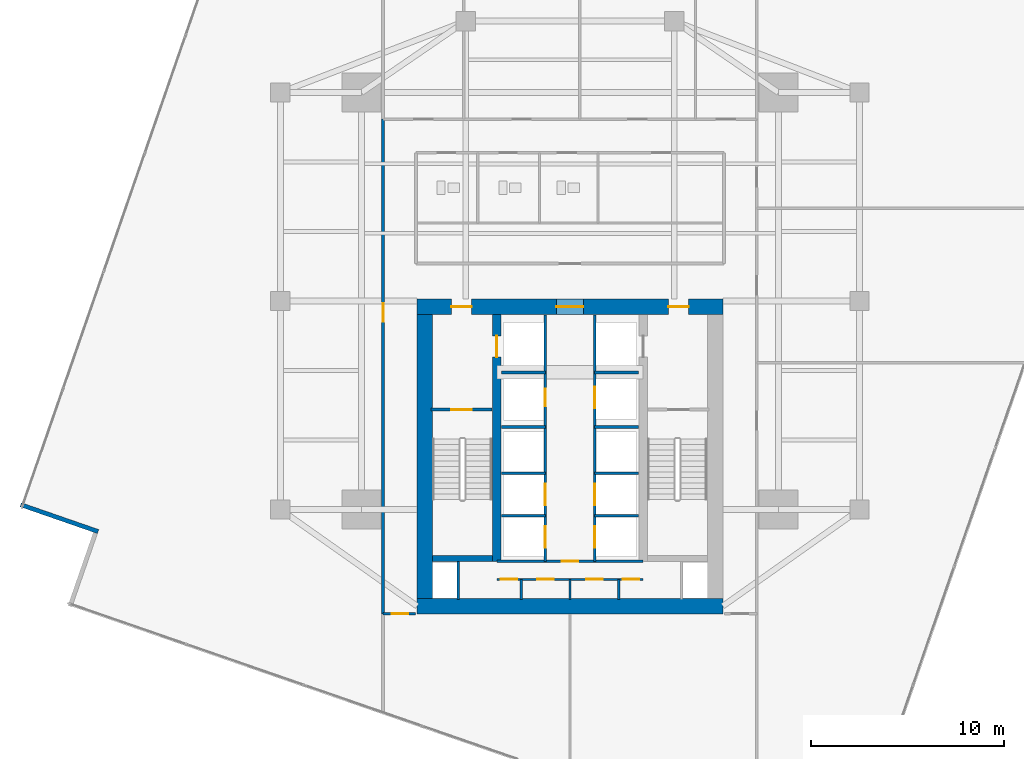
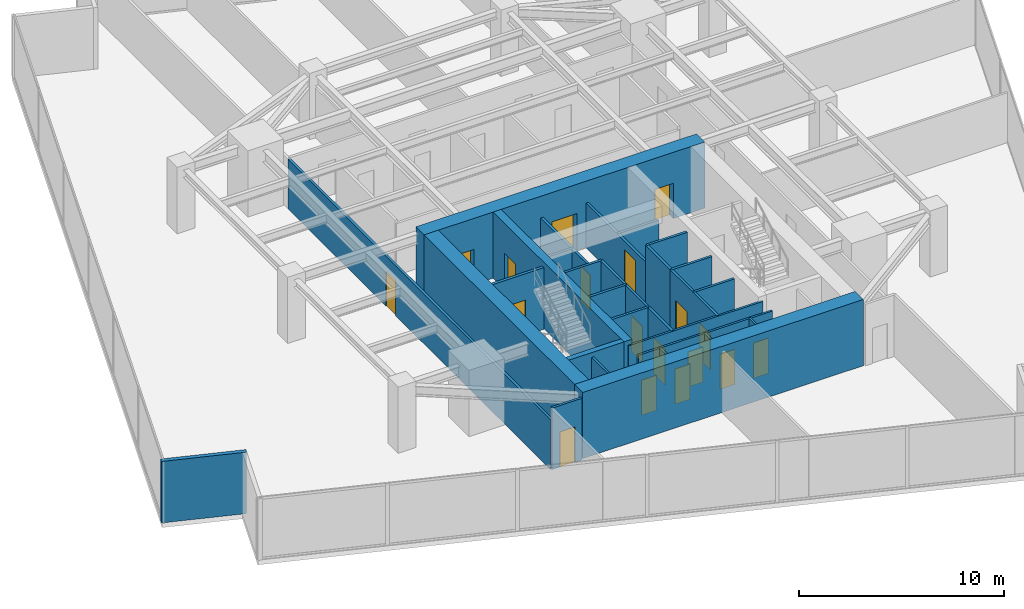
# One storey, part 23 of 27: 29 walls, 18 doors, 18 openings.
"""IFC4 building model written with IfcOpenShell, lengths in metres."""

from ifc_helpers import new_model, si_unit, direction, frame, frame_2d, origin, place, context, subcontext, project, spatial, rectangle, extrude, material, layer, layer_set, type_object, element, fill, save


model = new_model("IFC4")

# Units and contexts
model_context = context("Model", 3, precision=1e-05, world=origin(), true_north=direction((0.0, 1.0)))
body_context = subcontext(model_context, "Body", "Model", "MODEL_VIEW")
ifc_project = project(units=[si_unit("LENGTHUNIT", "METRE"), si_unit("AREAUNIT", "SQUARE_METRE"), si_unit("VOLUMEUNIT", "CUBIC_METRE"), si_unit("PLANEANGLEUNIT", "RADIAN"), si_unit("MASSUNIT", "GRAM", prefix="KILO")], contexts=[model_context])

# Site, building, storey
site_placement = place(None, origin())
site = spatial("IfcSite", under=ifc_project, at=site_placement, CompositionType="ELEMENT")
building_placement = place(site_placement, origin())
building = spatial("IfcBuilding", under=site, at=building_placement, Name="Krantzveldt Concourse Tower", CompositionType="ELEMENT")
storey_placement = place(building_placement, frame((0.0, 0.0, 121.64990234375)))
storey = spatial("IfcBuildingStorey", under=building, at=storey_placement, Name="L29", CompositionType="ELEMENT", Elevation=121.64990234375)

# Wall
ifc_material_1 = material(Name="Anodised aluminium 6063-T6", Category="aluminium")
ifc_layer_1 = layer(ifc_material_1, 0.219970703125, Name="Anodised aluminium 6063-T6", Category="aluminium")
ifc_layer_set_1 = layer_set([ifc_layer_1], Name="Anodised aluminium 6063-T6 (WL-EXT-NOTCH220)")
wall_type_1 = type_object("IfcWallType", Name="WL-EXT-NOTCH220", PredefinedType="ELEMENTEDWALL", material=ifc_layer_set_1)
wall_1_placement = place(storey_placement, frame((7.5478515625, 16.1494140625, 0.0), z_axis=(0.0, 0.0, 1.0), x_axis=(0.944801308279, -0.327643843028, 0.0)))
element("IfcWall", 1, at=wall_1_placement, inside=storey, type_object=wall_type_1, Name="EW-L29-NCH02", PredefinedType="ELEMENTEDWALL", context=body_context, shape_type="SweptSolid", body=[
    extrude(rectangle(XDim=4.2451171875, YDim=0.219970703125, at=frame_2d((2.12255859375, 0.0))), origin(), (0.0, 0.0, 1.0), 3.670166015625),
])

# Wall, opening, door
ifc_material_2 = material(Name="Fire-rated gypsum plasterboard on steel stud", Category="steel")
ifc_layer_2 = layer(ifc_material_2, 0.1201171875, Name="Fire-rated gypsum plasterboard on steel stud", Category="steel")
ifc_layer_set_2 = layer_set([ifc_layer_2], Name="Fire-rated gypsum plasterboard on steel stud (WL-PART-120)")
wall_type_2 = type_object("IfcWallType", Name="WL-PART-120", PredefinedType="PARTITIONING", material=ifc_layer_set_2)
wall_2_placement = place(storey_placement, frame((32.2099609375, 13.219970703125, 0.0), z_axis=(0.0, 0.0, 1.0), x_axis=(1.0, 0.0, 0.0)))
wall_2 = element("IfcWall", 2, at=wall_2_placement, inside=storey, type_object=wall_type_2, Name="WP-L29-CS2H", PredefinedType="PARTITIONING", context=body_context, shape_type="SweptSolid", body=[
    extrude(rectangle(XDim=7.580078125, YDim=0.1201171875, at=frame_2d((3.7900390625, 0.0))), origin(), (0.0, 0.0, 1.0), 3.670166015625),
])
opening_1_placement = place(wall_2_placement, frame((3.364990234375, 0.0, 0.0)))
opening_1 = element("IfcOpeningElement", 3, at=opening_1_placement, cuts=wall_2, Name="Opening D-IN085", PredefinedType="OPENING", context=body_context, shape_type="SweptSolid", body=[
    extrude(rectangle(XDim=0.85009765625, YDim=2.10009765625, at=frame_2d((0.425048828125, 1.050048828125))), frame((0.0, 0.070068359375, 0.0), z_axis=(0.0, -1.0, 0.0), x_axis=(1.0, 0.0, 0.0)), (0.0, 0.0, 1.0), 0.14013671875),
])
ifc_material_3 = material(Name="Hardwood timber", Category="wood")
door_type_1 = type_object("IfcDoorType", Name="DR-INT-850", OperationType="SINGLE_SWING_LEFT", PredefinedType="DOOR", material=ifc_material_3)
door_1_placement = place(opening_1_placement, origin())
door_1 = element("IfcDoor", 4, at=door_1_placement, inside=storey, type_object=door_type_1, Name="DR-L29-LLBS", OperationType="SINGLE_SWING_RIGHT", OverallHeight=2.10009765625, OverallWidth=0.85009765625, PredefinedType="DOOR", context=body_context, shape_type="SweptSolid", body=[
    extrude(rectangle(XDim=0.85009765625, YDim=2.10009765625, at=frame_2d((0.425048828125, 1.050048828125))), frame((0.0, 0.02490234375, 0.0), z_axis=(0.0, -1.0, 0.0), x_axis=(1.0, 0.0, 0.0)), (0.0, 0.0, 1.0), 0.050048828125),
])
fill(opening_1, door_1)

# Wall, openings, doors
wall_3_placement = place(storey_placement, frame((32.2099609375, 12.280029296875, 0.0), z_axis=(0.0, 0.0, 1.0), x_axis=(1.0, 0.0, 0.0)))
wall_3 = element("IfcWall", 5, at=wall_3_placement, inside=storey, type_object=wall_type_2, Name="WP-L29-CSD-HM", PredefinedType="PARTITIONING", context=body_context, shape_type="SweptSolid", body=[
    extrude(rectangle(XDim=7.580078125, YDim=0.1201171875, at=frame_2d((3.7900390625, 0.0))), origin(), (0.0, 0.0, 1.0), 3.670166015625),
])
opening_2_placement = place(wall_3_placement, frame((0.205078125, 0.0, 0.0)))
opening_2 = element("IfcOpeningElement", 6, at=opening_2_placement, cuts=wall_3, Name="Opening D-IN085", PredefinedType="OPENING", context=body_context, shape_type="SweptSolid", body=[
    extrude(rectangle(XDim=0.85009765625, YDim=2.10009765625, at=frame_2d((0.425048828125, 1.050048828125))), frame((0.0, 0.070068359375, 0.0), z_axis=(0.0, -1.0, 0.0), x_axis=(1.0, 0.0, 0.0)), (0.0, 0.0, 1.0), 0.14013671875),
])
opening_3_placement = place(wall_3_placement, frame((2.094970703125, 0.0, 0.0)))
opening_3 = element("IfcOpeningElement", 7, at=opening_3_placement, cuts=wall_3, Name="Opening D-IN085", PredefinedType="OPENING", context=body_context, shape_type="SweptSolid", body=[
    extrude(rectangle(XDim=0.85009765625, YDim=2.10009765625, at=frame_2d((0.425048828125, 1.050048828125))), frame((0.0, 0.070068359375, 0.0), z_axis=(0.0, -1.0, 0.0), x_axis=(1.0, 0.0, 0.0)), (0.0, 0.0, 1.0), 0.14013671875),
])
opening_4_placement = place(wall_3_placement, frame((4.635009765625, 0.0, 0.0)))
opening_4 = element("IfcOpeningElement", 8, at=opening_4_placement, cuts=wall_3, Name="Opening D-IN085", PredefinedType="OPENING", context=body_context, shape_type="SweptSolid", body=[
    extrude(rectangle(XDim=0.85009765625, YDim=2.10009765625, at=frame_2d((0.425048828125, 1.050048828125))), frame((0.0, 0.070068359375, 0.0), z_axis=(0.0, -1.0, 0.0), x_axis=(1.0, 0.0, 0.0)), (0.0, 0.0, 1.0), 0.14013671875),
])
opening_5_placement = place(wall_3_placement, frame((6.52490234375, 0.0, 0.0)))
opening_5 = element("IfcOpeningElement", 9, at=opening_5_placement, cuts=wall_3, Name="Opening D-IN085", PredefinedType="OPENING", context=body_context, shape_type="SweptSolid", body=[
    extrude(rectangle(XDim=0.85009765625, YDim=2.10009765625, at=frame_2d((0.425048828125, 1.050048828125))), frame((0.0, 0.070068359375, 0.0), z_axis=(0.0, -1.0, 0.0), x_axis=(1.0, 0.0, 0.0)), (0.0, 0.0, 1.0), 0.14013671875),
])
door_2_placement = place(opening_2_placement, origin())
door_2 = element("IfcDoor", 10, at=door_2_placement, inside=storey, type_object=door_type_1, Name="DR-L29-CSD1", OperationType="SINGLE_SWING_RIGHT", OverallHeight=2.10009765625, OverallWidth=0.85009765625, PredefinedType="DOOR", context=body_context, shape_type="SweptSolid", body=[
    extrude(rectangle(XDim=0.85009765625, YDim=2.10009765625, at=frame_2d((0.425048828125, 1.050048828125))), frame((0.0, 0.02490234375, 0.0), z_axis=(0.0, -1.0, 0.0), x_axis=(1.0, 0.0, 0.0)), (0.0, 0.0, 1.0), 0.050048828125),
])
fill(opening_2, door_2)
door_3_placement = place(opening_3_placement, origin())
door_3 = element("IfcDoor", 11, at=door_3_placement, inside=storey, type_object=door_type_1, Name="DR-L29-CSD2", OperationType="SINGLE_SWING_RIGHT", OverallHeight=2.10009765625, OverallWidth=0.85009765625, PredefinedType="DOOR", context=body_context, shape_type="SweptSolid", body=[
    extrude(rectangle(XDim=0.85009765625, YDim=2.10009765625, at=frame_2d((0.425048828125, 1.050048828125))), frame((0.0, 0.02490234375, 0.0), z_axis=(0.0, -1.0, 0.0), x_axis=(1.0, 0.0, 0.0)), (0.0, 0.0, 1.0), 0.050048828125),
])
fill(opening_3, door_3)
door_4_placement = place(opening_4_placement, origin())
door_4 = element("IfcDoor", 12, at=door_4_placement, inside=storey, type_object=door_type_1, Name="DR-L29-CSD3", OperationType="SINGLE_SWING_RIGHT", OverallHeight=2.10009765625, OverallWidth=0.85009765625, PredefinedType="DOOR", context=body_context, shape_type="SweptSolid", body=[
    extrude(rectangle(XDim=0.85009765625, YDim=2.10009765625, at=frame_2d((0.425048828125, 1.050048828125))), frame((0.0, 0.02490234375, 0.0), z_axis=(0.0, -1.0, 0.0), x_axis=(1.0, 0.0, 0.0)), (0.0, 0.0, 1.0), 0.050048828125),
])
fill(opening_4, door_4)
door_5_placement = place(opening_5_placement, origin())
door_5 = element("IfcDoor", 13, at=door_5_placement, inside=storey, type_object=door_type_1, Name="DR-L29-CSD4", OperationType="SINGLE_SWING_RIGHT", OverallHeight=2.10009765625, OverallWidth=0.85009765625, PredefinedType="DOOR", context=body_context, shape_type="SweptSolid", body=[
    extrude(rectangle(XDim=0.85009765625, YDim=2.10009765625, at=frame_2d((0.425048828125, 1.050048828125))), frame((0.0, 0.02490234375, 0.0), z_axis=(0.0, -1.0, 0.0), x_axis=(1.0, 0.0, 0.0)), (0.0, 0.0, 1.0), 0.050048828125),
])
fill(opening_5, door_5)

# Walls
for number, where, z_axis, x_axis, name in (
    (14, (33.469970703125, 11.25, 0.0), (0.0, 0.0, 1.0), (0.0, 1.0, 0.0), "WP-L29-CSD-V1"),
    (15, (36.0, 11.25, 0.0), (0.0, 0.0, 1.0), (0.0, 1.0, 0.0), "WP-L29-CSD-V2"),
    (16, (38.530029296875, 11.25, 0.0), (0.0, 0.0, 1.0), (0.0, 1.0, 0.0), "WP-L29-CSD-V3"),
):
    element("IfcWall", number, at=place(storey_placement, frame(where, z_axis=z_axis, x_axis=x_axis)), inside=storey, type_object=wall_type_2, Name=name, PredefinedType="PARTITIONING", context=body_context, shape_type="SweptSolid", body=[
        extrude(rectangle(XDim=1.030029296875, YDim=0.1201171875, at=frame_2d((0.51513671875, 0.0))), origin(), (0.0, 0.0, 1.0), 3.670166015625),
    ])

# Wall, opening, door
ifc_layer_3 = layer(ifc_material_2, 0.139892578125, Name="Fire-rated gypsum plasterboard on steel stud", Category="steel")
ifc_layer_set_3 = layer_set([ifc_layer_3], Name="Fire-rated gypsum plasterboard on steel stud (WL-PART-140)")
wall_type_3 = type_object("IfcWallType", Name="WL-PART-140", PredefinedType="PARTITIONING", material=ifc_layer_set_3)
wall_4_placement = place(storey_placement, frame((26.320068359375, 10.5, 0.0), z_axis=(0.0, 0.0, 1.0), x_axis=(0.0, 1.0, 0.0)))
wall_4 = element("IfcWall", 17, at=wall_4_placement, inside=storey, type_object=wall_type_3, Name="WP-L29-CWEST", PredefinedType="PARTITIONING", context=body_context, shape_type="SweptSolid", body=[
    extrude(rectangle(XDim=25.6201171875, YDim=0.139892578125, at=frame_2d((12.81005859375, 0.0))), origin(), (0.0, 0.0, 1.0), 2.97021484375),
])
opening_6_placement = place(wall_4_placement, frame((15.125, 0.0, 0.0)))
opening_6 = element("IfcOpeningElement", 18, at=opening_6_placement, cuts=wall_4, Name="Opening D-IN095", PredefinedType="OPENING", context=body_context, shape_type="SweptSolid", body=[
    extrude(rectangle(XDim=0.949951171875, YDim=2.10009765625, at=frame_2d((0.47509765625, 1.050048828125))), frame((0.0, 0.080078125, 0.0), z_axis=(0.0, -1.0, 0.0), x_axis=(1.0, 0.0, 0.0)), (0.0, 0.0, 1.0), 0.159912109375),
])
door_type_2 = type_object("IfcDoorType", Name="DR-INT-950", OperationType="SINGLE_SWING_LEFT", PredefinedType="DOOR", material=ifc_material_3)
door_6_placement = place(opening_6_placement, origin())
door_6 = element("IfcDoor", 19, at=door_6_placement, inside=storey, type_object=door_type_2, Name="DR-L29-WR1", OperationType="SINGLE_SWING_LEFT", OverallHeight=2.10009765625, OverallWidth=0.949951171875, PredefinedType="DOOR", context=body_context, shape_type="SweptSolid", body=[
    extrude(rectangle(XDim=0.949951171875, YDim=2.10009765625, at=frame_2d((0.47509765625, 1.050048828125))), frame((0.0, 0.02490234375, 0.0), z_axis=(0.0, -1.0, 0.0), x_axis=(1.0, 0.0, 0.0)), (0.0, 0.0, 1.0), 0.050048828125),
])
fill(opening_6, door_6)

wall_5_placement = place(storey_placement, frame((26.320068359375, 10.5, 0.0), z_axis=(0.0, 0.0, 1.0), x_axis=(1.0, 0.0, 0.0)))
wall_5 = element("IfcWall", 20, at=wall_5_placement, inside=storey, type_object=wall_type_3, Name="WP-L29-CWBOT", PredefinedType="PARTITIONING", context=body_context, shape_type="SweptSolid", body=[
    extrude(rectangle(XDim=1.679931640625, YDim=0.139892578125, at=frame_2d((0.83984375, 0.0))), origin(), (0.0, 0.0, 1.0), 3.670166015625),
])
opening_7_placement = place(wall_5_placement, frame((0.445068359375, 0.0, 0.0)))
opening_7 = element("IfcOpeningElement", 21, at=opening_7_placement, cuts=wall_5, Name="Opening D-IN085", PredefinedType="OPENING", context=body_context, shape_type="SweptSolid", body=[
    extrude(rectangle(XDim=0.85009765625, YDim=2.10009765625, at=frame_2d((0.425048828125, 1.050048828125))), frame((0.0, 0.080078125, 0.0), z_axis=(0.0, -1.0, 0.0), x_axis=(1.0, 0.0, 0.0)), (0.0, 0.0, 1.0), 0.159912109375),
])
door_7_placement = place(opening_7_placement, origin())
door_7 = element("IfcDoor", 22, at=door_7_placement, inside=storey, type_object=door_type_1, Name="DR-L29-SR1", OperationType="SINGLE_SWING_LEFT", OverallHeight=2.10009765625, OverallWidth=0.85009765625, PredefinedType="DOOR", context=body_context, shape_type="SweptSolid", body=[
    extrude(rectangle(XDim=0.85009765625, YDim=2.10009765625, at=frame_2d((0.425048828125, 1.050048828125))), frame((0.0, 0.02490234375, 0.0), z_axis=(0.0, -1.0, 0.0), x_axis=(1.0, 0.0, 0.0)), (0.0, 0.0, 1.0), 0.050048828125),
])
fill(opening_7, door_7)

ifc_layer_4 = layer(ifc_material_2, 0.139892578125, Name="Fire-rated gypsum plasterboard on steel stud", Category="steel")
ifc_layer_set_4 = layer_set([ifc_layer_4], Name="Fire-rated gypsum plasterboard on steel stud (WL-PART-FR140)")
wall_type_4 = type_object("IfcWallType", Name="WL-PART-FR140", PredefinedType="PARTITIONING", material=ifc_layer_set_4)
wall_6_placement = place(storey_placement, frame((34.719970703125, 20.199951171875, 0.0), z_axis=(0.0, 0.0, 1.0), x_axis=(0.0, 1.0, 0.0)))
wall_6 = element("IfcWall", 23, at=wall_6_placement, inside=storey, type_object=wall_type_4, Name="WP-L29-SHNW", PredefinedType="PARTITIONING", context=body_context, shape_type="SweptSolid", body=[
    extrude(rectangle(XDim=5.780029296875, YDim=0.139892578125, at=frame_2d((2.89013671875, 0.0))), origin(), (0.0, 0.0, 1.0), 2.670166015625),
])
opening_8_placement = place(wall_6_placement, frame((1.050048828125, 0.0, 0.0)))
opening_8 = element("IfcOpeningElement", 24, at=opening_8_placement, cuts=wall_6, Name="Opening D-FD090", PredefinedType="OPENING", context=body_context, shape_type="SweptSolid", body=[
    extrude(rectangle(XDim=0.89990234375, YDim=2.10009765625, at=frame_2d((0.449951171875, 1.050048828125))), frame((0.0, 0.080078125, 0.0), z_axis=(0.0, -1.0, 0.0), x_axis=(1.0, 0.0, 0.0)), (0.0, 0.0, 1.0), 0.159912109375),
])
door_type_3 = type_object("IfcDoorType", Name="DR-FD60-900", OperationType="SINGLE_SWING_LEFT", PredefinedType="DOOR", material=ifc_material_3)
door_8_placement = place(opening_8_placement, origin())
door_8 = element("IfcDoor", 25, at=door_8_placement, inside=storey, type_object=door_type_3, Name="Electrical Riser Access Door L29", OperationType="SINGLE_SWING_LEFT", OverallHeight=2.10009765625, OverallWidth=0.89990234375, PredefinedType="DOOR", context=body_context, shape_type="SweptSolid", body=[
    extrude(rectangle(XDim=0.89990234375, YDim=2.10009765625, at=frame_2d((0.449951171875, 1.050048828125))), frame((0.0, 0.02490234375, 0.0), z_axis=(0.0, -1.0, 0.0), x_axis=(1.0, 0.0, 0.0)), (0.0, 0.0, 1.0), 0.050048828125),
])
fill(opening_8, door_8)

wall_7_placement = place(storey_placement, frame((37.280029296875, 20.199951171875, 0.0), z_axis=(0.0, 0.0, 1.0), x_axis=(0.0, 1.0, 0.0)))
wall_7 = element("IfcWall", 26, at=wall_7_placement, inside=storey, type_object=wall_type_4, Name="WP-L29-SHNE", PredefinedType="PARTITIONING", context=body_context, shape_type="SweptSolid", body=[
    extrude(rectangle(XDim=5.780029296875, YDim=0.139892578125, at=frame_2d((2.89013671875, 0.0))), origin(), (0.0, 0.0, 1.0), 2.670166015625),
])
opening_9_placement = place(wall_7_placement, frame((0.949951171875, 0.0, 0.0)))
opening_9 = element("IfcOpeningElement", 27, at=opening_9_placement, cuts=wall_7, Name="Opening LD", PredefinedType="OPENING", context=body_context, shape_type="SweptSolid", body=[
    extrude(rectangle(XDim=1.10009765625, YDim=2.14990234375, at=frame_2d((0.550048828125, 1.074951171875))), frame((0.0, 0.080078125, 0.0), z_axis=(0.0, -1.0, 0.0), x_axis=(1.0, 0.0, 0.0)), (0.0, 0.0, 1.0), 0.159912109375),
])
ifc_material_4 = material(Name="Stainless steel 316L", Category="steel")
door_type_4 = type_object("IfcDoorType", Name="DR-SLIDE-LD1100", OperationType="DOUBLE_DOOR_SLIDING", PredefinedType="DOOR", material=ifc_material_4)
door_9_placement = place(opening_9_placement, origin())
door_9 = element("IfcDoor", 28, at=door_9_placement, inside=storey, type_object=door_type_4, Name="LD-L29-GL1", OperationType="DOUBLE_DOOR_SLIDING", OverallHeight=2.14990234375, OverallWidth=1.10009765625, PredefinedType="DOOR", context=body_context, shape_type="SweptSolid", body=[
    extrude(rectangle(XDim=1.10009765625, YDim=2.14990234375, at=frame_2d((0.550048828125, 1.074951171875))), frame((0.0, 0.02490234375, 0.0), z_axis=(0.0, -1.0, 0.0), x_axis=(1.0, 0.0, 0.0)), (0.0, 0.0, 1.0), 0.050048828125),
])
fill(opening_9, door_9)

# Walls
for number, where, z_axis, x_axis, name in (
    (29, (32.449951171875, 23.0, 0.0), (0.0, 0.0, 1.0), (1.0, 0.0, 0.0), "WP-L29-RISH"),
    (30, (37.280029296875, 23.0, 0.0), (0.0, 0.0, 1.0), (1.0, 0.0, 0.0), "WP-L29-GLH"),
):
    element("IfcWall", number, at=place(storey_placement, frame(where, z_axis=z_axis, x_axis=x_axis)), inside=storey, type_object=wall_type_4, Name=name, PredefinedType="PARTITIONING", context=body_context, shape_type="SweptSolid", body=[
        extrude(rectangle(XDim=2.27001953125, YDim=0.139892578125, at=frame_2d((1.135009765625, 0.0))), origin(), (0.0, 0.0, 1.0), 2.670166015625),
    ])
for number, where, z_axis, x_axis, name in (
    (31, (34.719970703125, 17.780029296875, 0.0), (0.0, 0.0, 1.0), (0.0, 1.0, 0.0), "WP-L29-SHNW2"),
    (32, (37.280029296875, 17.780029296875, 0.0), (0.0, 0.0, 1.0), (0.0, 1.0, 0.0), "WP-L29-SHNE2"),
):
    element("IfcWall", number, at=place(storey_placement, frame(where, z_axis=z_axis, x_axis=x_axis)), inside=storey, type_object=wall_type_4, Name=name, PredefinedType="PARTITIONING", context=body_context, shape_type="SweptSolid", body=[
        extrude(rectangle(XDim=2.419921875, YDim=0.139892578125, at=frame_2d((1.2099609375, 0.0))), origin(), (0.0, 0.0, 1.0), 3.670166015625),
    ])
for number, where, z_axis, x_axis, name in (
    (33, (32.449951171875, 17.780029296875, 0.0), (0.0, 0.0, 1.0), (1.0, 0.0, 0.0), "WP-L29-DIVW2"),
    (34, (32.449951171875, 20.179931640625, 0.0), (0.0, 0.0, 1.0), (1.0, 0.0, 0.0), "WP-L29-DIVW3"),
    (35, (37.280029296875, 17.780029296875, 0.0), (0.0, 0.0, 1.0), (1.0, 0.0, 0.0), "WP-L29-DIVE2"),
    (36, (37.280029296875, 20.179931640625, 0.0), (0.0, 0.0, 1.0), (1.0, 0.0, 0.0), "WP-L29-DIVE3"),
):
    element("IfcWall", number, at=place(storey_placement, frame(where, z_axis=z_axis, x_axis=x_axis)), inside=storey, type_object=wall_type_4, Name=name, PredefinedType="PARTITIONING", context=body_context, shape_type="SweptSolid", body=[
        extrude(rectangle(XDim=2.27001953125, YDim=0.139892578125, at=frame_2d((1.135009765625, 0.0))), origin(), (0.0, 0.0, 1.0), 3.670166015625),
    ])

# Wall, openings, doors
wall_8_placement = place(storey_placement, frame((34.719970703125, 13.219970703125, 0.0), z_axis=(0.0, 0.0, 1.0), x_axis=(0.0, 1.0, 0.0)))
wall_8 = element("IfcWall", 37, at=wall_8_placement, inside=storey, type_object=wall_type_4, Name="WP-L29-SHSW", PredefinedType="PARTITIONING", context=body_context, shape_type="SweptSolid", body=[
    extrude(rectangle(XDim=4.56005859375, YDim=0.139892578125, at=frame_2d((2.280029296875, 0.0))), origin(), (0.0, 0.0, 1.0), 3.670166015625),
])
opening_10_placement = place(wall_8_placement, frame((0.7099609375, 0.0, 0.0)))
opening_10 = element("IfcOpeningElement", 38, at=opening_10_placement, cuts=wall_8, Name="Opening LD", PredefinedType="OPENING", context=body_context, shape_type="SweptSolid", body=[
    extrude(rectangle(XDim=1.10009765625, YDim=2.14990234375, at=frame_2d((0.550048828125, 1.074951171875))), frame((0.0, 0.080078125, 0.0), z_axis=(0.0, -1.0, 0.0), x_axis=(1.0, 0.0, 0.0)), (0.0, 0.0, 1.0), 0.159912109375),
])
opening_11_placement = place(wall_8_placement, frame((2.909912109375, 0.0, 0.0)))
opening_11 = element("IfcOpeningElement", 39, at=opening_11_placement, cuts=wall_8, Name="Opening LD", PredefinedType="OPENING", context=body_context, shape_type="SweptSolid", body=[
    extrude(rectangle(XDim=1.10009765625, YDim=2.14990234375, at=frame_2d((0.550048828125, 1.074951171875))), frame((0.0, 0.080078125, 0.0), z_axis=(0.0, -1.0, 0.0), x_axis=(1.0, 0.0, 0.0)), (0.0, 0.0, 1.0), 0.159912109375),
])
door_10_placement = place(opening_10_placement, origin())
door_10 = element("IfcDoor", 40, at=door_10_placement, inside=storey, type_object=door_type_4, Name="LD-L29-PL1", OperationType="DOUBLE_DOOR_SLIDING", OverallHeight=2.14990234375, OverallWidth=1.10009765625, PredefinedType="DOOR", context=body_context, shape_type="SweptSolid", body=[
    extrude(rectangle(XDim=1.10009765625, YDim=2.14990234375, at=frame_2d((0.550048828125, 1.074951171875))), frame((0.0, 0.02490234375, 0.0), z_axis=(0.0, -1.0, 0.0), x_axis=(1.0, 0.0, 0.0)), (0.0, 0.0, 1.0), 0.050048828125),
])
fill(opening_10, door_10)
door_11_placement = place(opening_11_placement, origin())
door_11 = element("IfcDoor", 41, at=door_11_placement, inside=storey, type_object=door_type_4, Name="LD-L29-PL2", OperationType="DOUBLE_DOOR_SLIDING", OverallHeight=2.14990234375, OverallWidth=1.10009765625, PredefinedType="DOOR", context=body_context, shape_type="SweptSolid", body=[
    extrude(rectangle(XDim=1.10009765625, YDim=2.14990234375, at=frame_2d((0.550048828125, 1.074951171875))), frame((0.0, 0.02490234375, 0.0), z_axis=(0.0, -1.0, 0.0), x_axis=(1.0, 0.0, 0.0)), (0.0, 0.0, 1.0), 0.050048828125),
])
fill(opening_11, door_11)

# Wall
wall_9_placement = place(storey_placement, frame((32.449951171875, 15.580078125, 0.0), z_axis=(0.0, 0.0, 1.0), x_axis=(1.0, 0.0, 0.0)))
element("IfcWall", 42, at=wall_9_placement, inside=storey, type_object=wall_type_4, Name="WP-L29-DIVW1", PredefinedType="PARTITIONING", context=body_context, shape_type="SweptSolid", body=[
    extrude(rectangle(XDim=2.27001953125, YDim=0.139892578125, at=frame_2d((1.135009765625, 0.0))), origin(), (0.0, 0.0, 1.0), 3.670166015625),
])

# Wall, openings, doors
wall_10_placement = place(storey_placement, frame((37.280029296875, 13.219970703125, 0.0), z_axis=(0.0, 0.0, 1.0), x_axis=(0.0, 1.0, 0.0)))
wall_10 = element("IfcWall", 43, at=wall_10_placement, inside=storey, type_object=wall_type_4, Name="WP-L29-SHSE", PredefinedType="PARTITIONING", context=body_context, shape_type="SweptSolid", body=[
    extrude(rectangle(XDim=4.56005859375, YDim=0.139892578125, at=frame_2d((2.280029296875, 0.0))), origin(), (0.0, 0.0, 1.0), 3.670166015625),
])
opening_12_placement = place(wall_10_placement, frame((0.7099609375, 0.0, 0.0)))
opening_12 = element("IfcOpeningElement", 44, at=opening_12_placement, cuts=wall_10, Name="Opening LD", PredefinedType="OPENING", context=body_context, shape_type="SweptSolid", body=[
    extrude(rectangle(XDim=1.10009765625, YDim=2.14990234375, at=frame_2d((0.550048828125, 1.074951171875))), frame((0.0, 0.080078125, 0.0), z_axis=(0.0, -1.0, 0.0), x_axis=(1.0, 0.0, 0.0)), (0.0, 0.0, 1.0), 0.159912109375),
])
opening_13_placement = place(wall_10_placement, frame((2.909912109375, 0.0, 0.0)))
opening_13 = element("IfcOpeningElement", 45, at=opening_13_placement, cuts=wall_10, Name="Opening LD", PredefinedType="OPENING", context=body_context, shape_type="SweptSolid", body=[
    extrude(rectangle(XDim=1.10009765625, YDim=2.14990234375, at=frame_2d((0.550048828125, 1.074951171875))), frame((0.0, 0.080078125, 0.0), z_axis=(0.0, -1.0, 0.0), x_axis=(1.0, 0.0, 0.0)), (0.0, 0.0, 1.0), 0.159912109375),
])
door_12_placement = place(opening_12_placement, origin())
door_12 = element("IfcDoor", 46, at=door_12_placement, inside=storey, type_object=door_type_4, Name="LD-L29-PM1", OperationType="DOUBLE_DOOR_SLIDING", OverallHeight=2.14990234375, OverallWidth=1.10009765625, PredefinedType="DOOR", context=body_context, shape_type="SweptSolid", body=[
    extrude(rectangle(XDim=1.10009765625, YDim=2.14990234375, at=frame_2d((0.550048828125, 1.074951171875))), frame((0.0, 0.02490234375, 0.0), z_axis=(0.0, -1.0, 0.0), x_axis=(1.0, 0.0, 0.0)), (0.0, 0.0, 1.0), 0.050048828125),
])
fill(opening_12, door_12)
door_13_placement = place(opening_13_placement, origin())
door_13 = element("IfcDoor", 47, at=door_13_placement, inside=storey, type_object=door_type_4, Name="LD-L29-PM2", OperationType="DOUBLE_DOOR_SLIDING", OverallHeight=2.14990234375, OverallWidth=1.10009765625, PredefinedType="DOOR", context=body_context, shape_type="SweptSolid", body=[
    extrude(rectangle(XDim=1.10009765625, YDim=2.14990234375, at=frame_2d((0.550048828125, 1.074951171875))), frame((0.0, 0.02490234375, 0.0), z_axis=(0.0, -1.0, 0.0), x_axis=(1.0, 0.0, 0.0)), (0.0, 0.0, 1.0), 0.050048828125),
])
fill(opening_13, door_13)

# Walls
wall_11_placement = place(storey_placement, frame((37.280029296875, 15.580078125, 0.0), z_axis=(0.0, 0.0, 1.0), x_axis=(1.0, 0.0, 0.0)))
element("IfcWall", 48, at=wall_11_placement, inside=storey, type_object=wall_type_4, Name="WP-L29-DIVE1", PredefinedType="PARTITIONING", context=body_context, shape_type="SweptSolid", body=[
    extrude(rectangle(XDim=2.27001953125, YDim=0.139892578125, at=frame_2d((1.135009765625, 0.0))), origin(), (0.0, 0.0, 1.0), 3.670166015625),
])
wall_12_placement = place(storey_placement, frame((30.219970703125, 11.25, 0.0), z_axis=(0.0, 0.0, 1.0), x_axis=(0.0, 1.0, 0.0)))
element("IfcWall", 49, at=wall_12_placement, inside=storey, type_object=wall_type_4, Name="WP-L29-RSW", PredefinedType="PARTITIONING", context=body_context, shape_type="SweptSolid", body=[
    extrude(rectangle(XDim=1.969970703125, YDim=0.1201171875, at=frame_2d((0.98486328125, 0.0))), origin(), (0.0, 0.0, 1.0), 3.670166015625),
])

# Wall, opening, door
ifc_layer_5 = layer(ifc_material_2, 0.159912109375, Name="Fire-rated gypsum plasterboard on steel stud", Category="steel")
ifc_layer_set_5 = layer_set([ifc_layer_5], Name="Fire-rated gypsum plasterboard on steel stud (WL-PART-FR160)")
wall_type_5 = type_object("IfcWallType", Name="WL-PART-FR160", PredefinedType="PARTITIONING", material=ifc_layer_set_5)
wall_13_placement = place(storey_placement, frame((28.800048828125, 21.080078125, 0.0), z_axis=(0.0, 0.0, 1.0), x_axis=(1.0, 0.0, 0.0)))
wall_13 = element("IfcWall", 50, at=wall_13_placement, inside=storey, type_object=wall_type_5, Name="WP-L29-ST1", PredefinedType="PARTITIONING", context=body_context, shape_type="SweptSolid", body=[
    extrude(rectangle(XDim=3.159912109375, YDim=0.159912109375, at=frame_2d((1.580078125, 0.0))), origin(), (0.0, 0.0, 1.0), 3.670166015625),
])
opening_14_placement = place(wall_13_placement, frame((1.054931640625, 0.0, 0.0)))
opening_14 = element("IfcOpeningElement", 51, at=opening_14_placement, cuts=wall_13, Name="Opening D-FD105", PredefinedType="OPENING", context=body_context, shape_type="SweptSolid", body=[
    extrude(rectangle(XDim=1.050048828125, YDim=2.10009765625, at=frame_2d((0.52490234375, 1.050048828125))), frame((0.0, 0.08984375, 0.0), z_axis=(0.0, -1.0, 0.0), x_axis=(1.0, 0.0, 0.0)), (0.0, 0.0, 1.0), 0.179931640625),
])
ifc_material_5 = material(Name="Galvanised steel", Category="steel")
door_type_5 = type_object("IfcDoorType", Name="DR-FD120-1050", OperationType="SINGLE_SWING_LEFT", PredefinedType="DOOR", material=ifc_material_5)
door_14_placement = place(opening_14_placement, origin())
door_14 = element("IfcDoor", 52, at=door_14_placement, inside=storey, type_object=door_type_5, Name="DR-L29-ST1", OperationType="SINGLE_SWING_RIGHT", OverallHeight=2.10009765625, OverallWidth=1.050048828125, PredefinedType="DOOR", context=body_context, shape_type="SweptSolid", body=[
    extrude(rectangle(XDim=1.050048828125, YDim=2.10009765625, at=frame_2d((0.52490234375, 1.050048828125))), frame((0.0, 0.02490234375, 0.0), z_axis=(0.0, -1.0, 0.0), x_axis=(1.0, 0.0, 0.0)), (0.0, 0.0, 1.0), 0.050048828125),
])
fill(opening_14, door_14)

# Wall
ifc_material_6 = material(Name="Concrete C50/60", Category="concrete")
ifc_layer_6 = layer(ifc_material_6, 0.300048828125, Name="Concrete C50/60", Category="concrete")
ifc_layer_set_6 = layer_set([ifc_layer_6], Name="Concrete C50/60 (WL-SHEAR-300)")
wall_type_6 = type_object("IfcWallType", Name="WL-SHEAR-300", PredefinedType="SHEAR", material=ifc_layer_set_6)
wall_14_placement = place(storey_placement, frame((28.8798828125, 13.3701171875, 0.0), z_axis=(0.0, 0.0, 1.0), x_axis=(1.0, 0.0, 0.0)))
element("IfcWall", 53, at=wall_14_placement, inside=storey, type_object=wall_type_6, Name="CW-L29-ST1S", PredefinedType="SHEAR", context=body_context, shape_type="SweptSolid", body=[
    extrude(rectangle(XDim=3.10009765625, YDim=0.300048828125, at=frame_2d((1.550048828125, 0.0))), origin(), (0.0, 0.0, 1.0), 3.9501953125),
])

# Wall, opening, door
ifc_layer_7 = layer(ifc_material_6, 0.449951171875, Name="Concrete C50/60", Category="concrete")
ifc_layer_set_7 = layer_set([ifc_layer_7], Name="Concrete C50/60 (WL-SHEAR-450)")
wall_type_7 = type_object("IfcWallType", Name="WL-SHEAR-450", PredefinedType="SHEAR", material=ifc_layer_set_7)
wall_15_placement = place(storey_placement, frame((32.205078125, 13.219970703125, 0.0), z_axis=(0.0, 0.0, 1.0), x_axis=(0.0, 1.0, 0.0)))
wall_15 = element("IfcWall", 54, at=wall_15_placement, inside=storey, type_object=wall_type_7, Name="CW-L29-IW", PredefinedType="SHEAR", context=body_context, shape_type="SweptSolid", body=[
    extrude(rectangle(XDim=12.780029296875, YDim=0.449951171875, at=frame_2d((6.39013671875, 0.0))), origin(), (0.0, 0.0, 1.0), 3.9501953125),
])
opening_15_placement = place(wall_15_placement, frame((10.580078125, 0.0, 0.0)))
opening_15 = element("IfcOpeningElement", 55, at=opening_15_placement, cuts=wall_15, Name="Opening LD", PredefinedType="OPENING", context=body_context, shape_type="SweptSolid", body=[
    extrude(rectangle(XDim=1.10009765625, YDim=2.14990234375, at=frame_2d((0.550048828125, 1.074951171875))), frame((0.0, 0.23486328125, 0.0), z_axis=(0.0, -1.0, 0.0), x_axis=(1.0, 0.0, 0.0)), (0.0, 0.0, 1.0), 0.469970703125),
])
door_15_placement = place(opening_15_placement, origin())
door_15 = element("IfcDoor", 56, at=door_15_placement, inside=storey, type_object=door_type_4, Name="LD-L29-FL1", OperationType="DOUBLE_DOOR_SLIDING", OverallHeight=2.14990234375, OverallWidth=1.10009765625, PredefinedType="DOOR", context=body_context, shape_type="SweptSolid", body=[
    extrude(rectangle(XDim=1.10009765625, YDim=2.14990234375, at=frame_2d((0.550048828125, 1.074951171875))), frame((0.0, 0.02490234375, 0.0), z_axis=(0.0, -1.0, 0.0), x_axis=(1.0, 0.0, 0.0)), (0.0, 0.0, 1.0), 0.050048828125),
])
fill(opening_15, door_15)

# Wall
ifc_material_7 = material(Name="Concrete C60/75", Category="concrete")
ifc_layer_8 = layer(ifc_material_7, 0.800048828125, Name="Concrete C60/75", Category="concrete")
ifc_layer_set_8 = layer_set([ifc_layer_8], Name="Concrete C60/75 (WL-SHEAR-800)")
wall_type_8 = type_object("IfcWallType", Name="WL-SHEAR-800", PredefinedType="SHEAR", material=ifc_layer_set_8)
wall_16_placement = place(storey_placement, frame((28.080078125, 10.89990234375, 0.0), z_axis=(0.0, 0.0, 1.0), x_axis=(1.0, 0.0, 0.0)))
element("IfcWall", 57, at=wall_16_placement, inside=storey, type_object=wall_type_8, Name="CW-L29-S", PredefinedType="SHEAR", context=body_context, shape_type="SweptSolid", body=[
    extrude(rectangle(XDim=15.83984375, YDim=0.800048828125, at=frame_2d((7.919921875, 0.0))), origin(), (0.0, 0.0, 1.0), 3.9501953125),
])

# Wall, openings, doors
wall_17_placement = place(storey_placement, frame((28.080078125, 26.39990234375, 0.0), z_axis=(0.0, 0.0, 1.0), x_axis=(1.0, 0.0, 0.0)))
wall_17 = element("IfcWall", 58, at=wall_17_placement, inside=storey, type_object=wall_type_8, Name="CW-L29-N", PredefinedType="SHEAR", context=body_context, shape_type="SweptSolid", body=[
    extrude(rectangle(XDim=15.83984375, YDim=0.800048828125, at=frame_2d((7.919921875, 0.0))), origin(), (0.0, 0.0, 1.0), 3.9501953125),
])
opening_16_placement = place(wall_17_placement, frame((7.219970703125, 0.0, 0.0)))
opening_16 = element("IfcOpeningElement", 59, at=opening_16_placement, cuts=wall_17, Name="Opening D-DB140", PredefinedType="OPENING", context=body_context, shape_type="SweptSolid", body=[
    extrude(rectangle(XDim=1.39990234375, YDim=2.199951171875, at=frame_2d((0.699951171875, 1.10009765625))), frame((0.0, 0.41015625, 0.0), z_axis=(0.0, -1.0, 0.0), x_axis=(1.0, 0.0, 0.0)), (0.0, 0.0, 1.0), 0.820068359375),
])
opening_17_placement = place(wall_17_placement, frame((1.77490234375, 0.0, 0.0)))
opening_17 = element("IfcOpeningElement", 60, at=opening_17_placement, cuts=wall_17, Name="Opening D-FD105", PredefinedType="OPENING", context=body_context, shape_type="SweptSolid", body=[
    extrude(rectangle(XDim=1.050048828125, YDim=2.10009765625, at=frame_2d((0.52490234375, 1.050048828125))), frame((0.0, 0.41015625, 0.0), z_axis=(0.0, -1.0, 0.0), x_axis=(1.0, 0.0, 0.0)), (0.0, 0.0, 1.0), 0.820068359375),
])
opening_18_placement = place(wall_17_placement, frame((13.014892578125, 0.0, 0.0)))
opening_18 = element("IfcOpeningElement", 61, at=opening_18_placement, cuts=wall_17, Name="Opening D-FD105", PredefinedType="OPENING", context=body_context, shape_type="SweptSolid", body=[
    extrude(rectangle(XDim=1.050048828125, YDim=2.10009765625, at=frame_2d((0.52490234375, 1.050048828125))), frame((0.0, 0.41015625, 0.0), z_axis=(0.0, -1.0, 0.0), x_axis=(1.0, 0.0, 0.0)), (0.0, 0.0, 1.0), 0.820068359375),
])
door_type_6 = type_object("IfcDoorType", Name="DR-DBL-1400", OperationType="DOUBLE_DOOR_SINGLE_SWING", PredefinedType="DOOR", material=ifc_material_1)
door_16_placement = place(opening_16_placement, origin())
door_16 = element("IfcDoor", 62, at=door_16_placement, inside=storey, type_object=door_type_6, Name="DR-L29-LLB", OperationType="DOUBLE_DOOR_SINGLE_SWING", OverallHeight=2.199951171875, OverallWidth=1.39990234375, PredefinedType="DOOR", context=body_context, shape_type="SweptSolid", body=[
    extrude(rectangle(XDim=1.39990234375, YDim=2.199951171875, at=frame_2d((0.699951171875, 1.10009765625))), frame((0.0, 0.02490234375, 0.0), z_axis=(0.0, -1.0, 0.0), x_axis=(1.0, 0.0, 0.0)), (0.0, 0.0, 1.0), 0.050048828125),
])
fill(opening_16, door_16)
door_17_placement = place(opening_17_placement, origin())
door_17 = element("IfcDoor", 63, at=door_17_placement, inside=storey, type_object=door_type_5, Name="DR-L29-FFL1", OperationType="SINGLE_SWING_LEFT", OverallHeight=2.10009765625, OverallWidth=1.050048828125, PredefinedType="DOOR", context=body_context, shape_type="SweptSolid", body=[
    extrude(rectangle(XDim=1.050048828125, YDim=2.10009765625, at=frame_2d((0.52490234375, 1.050048828125))), frame((0.0, 0.02490234375, 0.0), z_axis=(0.0, -1.0, 0.0), x_axis=(1.0, 0.0, 0.0)), (0.0, 0.0, 1.0), 0.050048828125),
])
fill(opening_17, door_17)
door_18_placement = place(opening_18_placement, origin())
door_18 = element("IfcDoor", 64, at=door_18_placement, inside=storey, type_object=door_type_5, Name="DR-L29-FFL2", OperationType="SINGLE_SWING_RIGHT", OverallHeight=2.10009765625, OverallWidth=1.050048828125, PredefinedType="DOOR", context=body_context, shape_type="SweptSolid", body=[
    extrude(rectangle(XDim=1.050048828125, YDim=2.10009765625, at=frame_2d((0.52490234375, 1.050048828125))), frame((0.0, 0.02490234375, 0.0), z_axis=(0.0, -1.0, 0.0), x_axis=(1.0, 0.0, 0.0)), (0.0, 0.0, 1.0), 0.050048828125),
])
fill(opening_18, door_18)

# Wall
wall_18_placement = place(storey_placement, frame((28.47998046875, 11.300048828125, 0.0), z_axis=(0.0, 0.0, 1.0), x_axis=(0.0, 1.0, 0.0)))
element("IfcWall", 65, at=wall_18_placement, inside=storey, type_object=wall_type_8, Name="CW-L29-W", PredefinedType="SHEAR", context=body_context, shape_type="SweptSolid", body=[
    extrude(rectangle(XDim=14.699951171875, YDim=0.800048828125, at=frame_2d((7.35009765625, 0.0))), origin(), (0.0, 0.0, 1.0), 3.9501953125),
])

save(model, "model.ifc")
